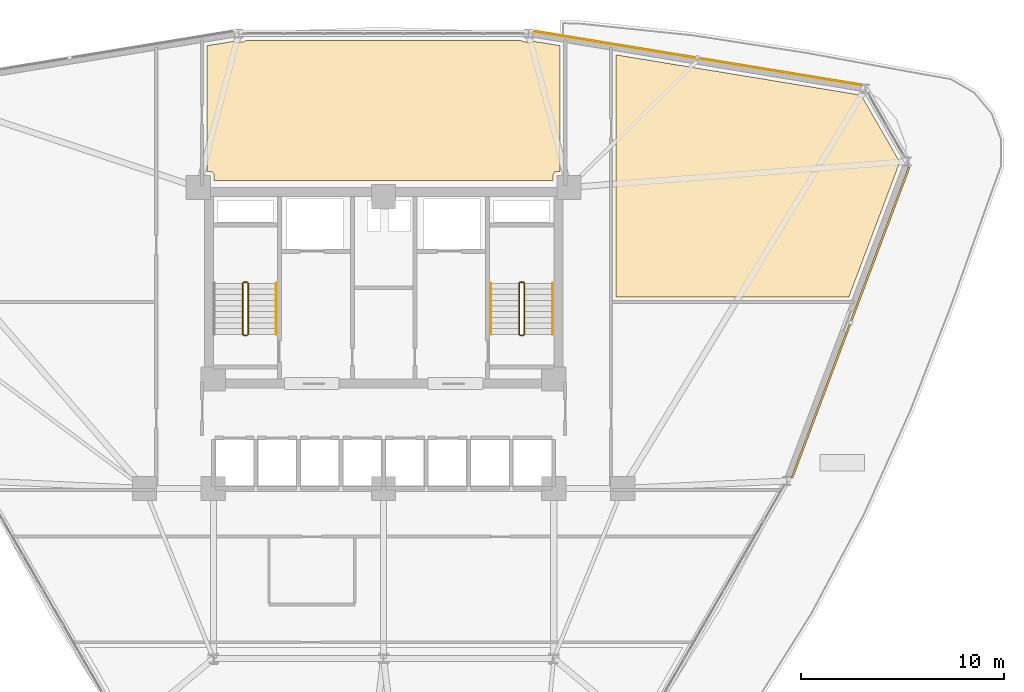
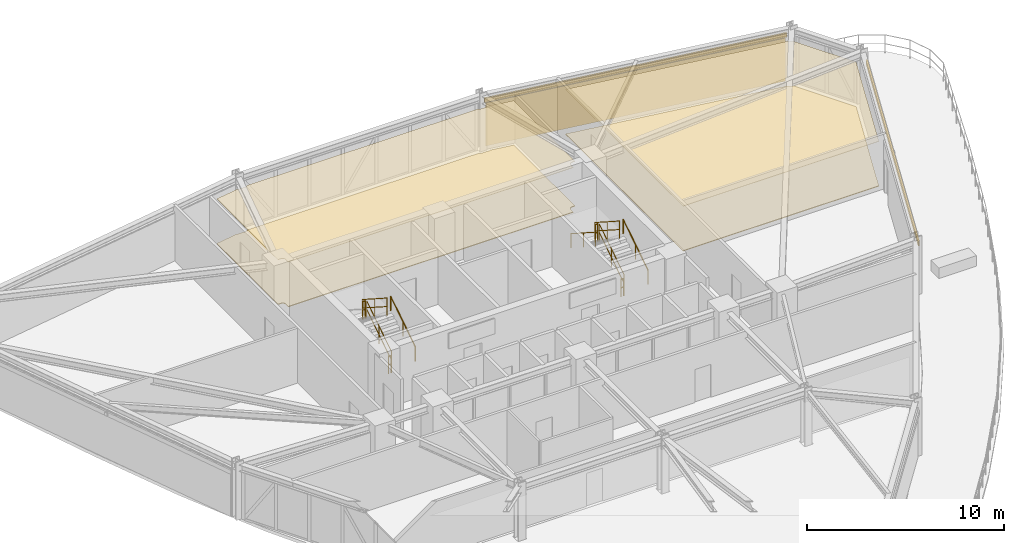
# One storey, part 23 of 23: 11 railings, 5 coverings, 2 shading devices.
"""IFC4 building model written with IfcOpenShell, lengths in metres."""

from ifc_helpers import new_model, si_unit, derived_unit, direction, frame, origin, origin_2d, place, context, subcontext, project, spatial, polyline, hollow_rectangle, circle, outline, extrude, source, transform, mapped, material, layer, layer_set, material_profile, profile_set, type_object, element, save


model = new_model("IFC4")

# Units and contexts
model_context = context("Model", 3, precision=1e-05, world=origin(), true_north=direction((0.0, 1.0)))
body_context = subcontext(model_context, "Body", "Model", "MODEL_VIEW")
ifc_project = project(units=[si_unit("LENGTHUNIT", "METRE"), si_unit("AREAUNIT", "SQUARE_METRE"), si_unit("VOLUMEUNIT", "CUBIC_METRE"), si_unit("PLANEANGLEUNIT", "RADIAN"), si_unit("MASSUNIT", "GRAM", prefix="KILO"), derived_unit("THERMALTRANSMITTANCEUNIT", [(si_unit("POWERUNIT", "WATT"), 1), (si_unit("LENGTHUNIT", "METRE"), -2), (si_unit("THERMODYNAMICTEMPERATUREUNIT", "KELVIN"), -1)])], contexts=[model_context])

# Site, building, storey
site_placement = place(None, origin())
site = spatial("IfcSite", under=ifc_project, at=site_placement, CompositionType="ELEMENT")
building_placement = place(site_placement, origin())
building = spatial("IfcBuilding", under=site, at=building_placement, Name="Korsvarv Bourse and Concert Hall", CompositionType="ELEMENT")
storey_placement = place(building_placement, frame((0.0, 0.0, 99.0)))
storey = spatial("IfcBuildingStorey", under=building, at=storey_placement, Name="L24", CompositionType="ELEMENT", Elevation=99.0)

# Coverings
ifc_material_1 = material(Name="Perforated mineral-wool and birch acoustic baffle ceiling", Category="wood")
ifc_layer_1 = layer(ifc_material_1, 0.02490234375)
ifc_layer_set_1 = layer_set([ifc_layer_1], Name="Perforated mineral-wool and birch acoustic baffle ceiling")
covering_type_1 = type_object("IfcCoveringType", Name="COV-CEIL-1", PredefinedType="CEILING", material=ifc_layer_set_1)
covering_1_placement = place(storey_placement, frame((0.0, 0.0, 2.780029296875)))
element("IfcCovering", 1, at=covering_1_placement, inside=storey, type_object=covering_type_1, Name="L24 acoustic baffle ceiling 2", PredefinedType="CEILING", context=body_context, shape_type="SweptSolid", body=[
    extrude(outline(polyline([(59.39208984375, 51.83837890625), (59.40625, 51.804931640625), (59.4267578125, 51.775146484375), (59.452880859375, 51.75), (59.483642578125, 51.730712890625), (59.517578125, 51.718017578125), (59.55322265625, 51.712158203125), (59.627685546875, 51.7080078125), (61.4521484375, 48.5478515625), (61.4521484375, 48.4423828125), (58.96484375, 41.85009765625), (47.47998046875, 41.85009765625), (47.47998046875, 53.795654296875), (59.39208984375, 51.83837890625)])), origin(), (0.0, 0.0, 1.0), 0.02490234375),
])
covering_2_placement = place(storey_placement, frame((0.0, 0.0, 2.780029296875)))
element("IfcCovering", 2, at=covering_2_placement, inside=storey, type_object=covering_type_1, Name="L24 acoustic baffle ceiling 3", PredefinedType="CEILING", context=body_context, shape_type="SweptSolid", body=[
    extrude(outline(polyline([(28.559326171875, 54.458984375), (28.593017578125, 54.4482421875), (28.62744140625, 54.444091796875), (29.055419921875, 54.43408203125), (29.09033203125, 54.436767578125), (29.124267578125, 54.446044921875), (29.15576171875, 54.4619140625), (29.183349609375, 54.4833984375), (29.206298828125, 54.510009765625), (42.789794921875, 54.511474609375), (42.814453125, 54.486328125), (42.843017578125, 54.466552734375), (42.875, 54.452880859375), (42.90869140625, 54.4453125), (43.354248046875, 54.43408203125), (43.388671875, 54.4365234375), (43.422119140625, 54.445556640625), (43.44775390625, 54.4580078125), (44.7099609375, 54.25048828125), (44.7099609375, 48.0400390625), (44.550048828125, 48.0400390625), (44.515380859375, 48.03662109375), (44.482177734375, 48.026611328125), (44.451416015625, 48.010498046875), (44.42431640625, 47.98876953125), (44.40185546875, 47.962158203125), (44.385009765625, 47.931640625), (44.374267578125, 47.898681640625), (44.3701171875, 47.864013671875), (44.364013671875, 47.60009765625), (27.639892578125, 47.60009765625), (27.639892578125, 47.85009765625), (27.63671875, 47.884521484375), (27.626708984375, 47.917724609375), (27.610595703125, 47.948486328125), (27.589111328125, 47.975341796875), (27.562744140625, 47.997802734375), (27.532470703125, 48.014892578125), (27.49951171875, 48.025634765625), (27.465087890625, 48.02978515625), (27.2900390625, 48.034912109375), (27.2900390625, 54.25048828125), (28.559326171875, 54.458984375)])), origin(), (0.0, 0.0, 1.0), 0.02490234375),
])
ifc_material_2 = material(Name="Warm iron-oxide extruded terracotta rainscreen tile", Category="ceramic")
ifc_layer_2 = layer(ifc_material_2, 0.044921875)
ifc_layer_set_2 = layer_set([ifc_layer_2], Name="Warm iron-oxide extruded terracotta rainscreen tile")
covering_type_2 = type_object("IfcCoveringType", Name="COV-CLD-TC", PredefinedType="CLADDING", material=ifc_layer_set_2)
covering_3_placement = place(storey_placement, origin())
element("IfcCovering", 3, at=covering_3_placement, inside=storey, type_object=covering_type_2, Name="L24 fluted terracotta cladding panel EW-L24-B02", PredefinedType="CLADDING", context=body_context, shape_type="SweptSolid", body=[
    extrude(outline(polyline([(59.51171875, 52.30078125), (43.464111328125, 54.9365234375), (43.471435546875, 54.98095703125), (59.51904296875, 52.34521484375), (59.51171875, 52.30078125)])), origin(), (0.0, 0.0, 1.0), 2.679931640625),
])
ifc_material_3 = material(Name="Calcium-sulphate raised access trading floor with Nordic oak top", Category="wood")
ifc_layer_3 = layer(ifc_material_3, 0.0400390625)
ifc_layer_set_3 = layer_set([ifc_layer_3], Name="Calcium-sulphate raised access trading floor with Nordic oak top")
covering_type_3 = type_object("IfcCoveringType", Name="COV-FLOR-1", PredefinedType="FLOORING", material=ifc_layer_set_3)
covering_4_placement = place(storey_placement, origin())
element("IfcCovering", 4, at=covering_4_placement, inside=storey, type_object=covering_type_3, Name="L24 raised access oak floor finish 2", PredefinedType="FLOORING", context=body_context, shape_type="SweptSolid", body=[
    extrude(outline(polyline([(59.39208984375, 51.83837890625), (59.40625, 51.804931640625), (59.4267578125, 51.775146484375), (59.452880859375, 51.75), (59.483642578125, 51.730712890625), (59.517578125, 51.718017578125), (59.55322265625, 51.712158203125), (59.627685546875, 51.7080078125), (61.4521484375, 48.5478515625), (61.4521484375, 48.4423828125), (58.96484375, 41.85009765625), (47.47998046875, 41.85009765625), (47.47998046875, 53.795654296875), (59.39208984375, 51.83837890625)])), origin(), (0.0, 0.0, 1.0), 0.0400390625),
])
covering_5_placement = place(storey_placement, origin())
element("IfcCovering", 5, at=covering_5_placement, inside=storey, type_object=covering_type_3, Name="L24 raised access oak floor finish 3", PredefinedType="FLOORING", context=body_context, shape_type="SweptSolid", body=[
    extrude(outline(polyline([(28.559326171875, 54.458984375), (28.593017578125, 54.4482421875), (28.62744140625, 54.444091796875), (29.055419921875, 54.43408203125), (29.09033203125, 54.436767578125), (29.124267578125, 54.446044921875), (29.15576171875, 54.4619140625), (29.183349609375, 54.4833984375), (29.206298828125, 54.510009765625), (42.789794921875, 54.511474609375), (42.814453125, 54.486328125), (42.843017578125, 54.466552734375), (42.875, 54.452880859375), (42.90869140625, 54.4453125), (43.354248046875, 54.43408203125), (43.388671875, 54.4365234375), (43.422119140625, 54.445556640625), (43.44775390625, 54.4580078125), (44.7099609375, 54.25048828125), (44.7099609375, 48.0400390625), (44.550048828125, 48.0400390625), (44.515380859375, 48.03662109375), (44.482177734375, 48.026611328125), (44.451416015625, 48.010498046875), (44.42431640625, 47.98876953125), (44.40185546875, 47.962158203125), (44.385009765625, 47.931640625), (44.374267578125, 47.898681640625), (44.3701171875, 47.864013671875), (44.364013671875, 47.60009765625), (27.639892578125, 47.60009765625), (27.639892578125, 47.85009765625), (27.63671875, 47.884521484375), (27.626708984375, 47.917724609375), (27.610595703125, 47.948486328125), (27.589111328125, 47.975341796875), (27.562744140625, 47.997802734375), (27.532470703125, 48.014892578125), (27.49951171875, 48.025634765625), (27.465087890625, 48.02978515625), (27.2900390625, 48.034912109375), (27.2900390625, 54.25048828125), (28.559326171875, 54.458984375)])), origin(), (0.0, 0.0, 1.0), 0.0400390625),
])

# Railings
ifc_material_4 = material(Name="Painted Steel S355 stair well guardrail", Category="steel")
railing_type_1 = type_object("IfcRailingType", Name="RL-ST-GRD", PredefinedType="GUARDRAIL", material=ifc_material_4)
railing_1_placement = place(storey_placement, frame((29.31005859375, 40.0, 0.179931640625)))
element("IfcRailing", 6, at=railing_1_placement, inside=storey, type_object=railing_type_1, Name="L24 ST-T1 stair guard 1", PredefinedType="GUARDRAIL", context=body_context, shape_type="SweptSolid", body=[
    extrude(circle(Radius=0.02392578125, at=origin_2d()), frame((0.0, 0.0, 1.076171875), z_axis=(0.0, 0.841162588446, 0.540782303519), x_axis=(-1.0, 0.0, 0.0)), (0.0, 0.0, 1.0), 2.995849609375),
    extrude(circle(Radius=0.02392578125, at=origin_2d()), frame((0.0, 0.0, 0.550048828125), z_axis=(0.0, 0.841162588446, 0.540782303519), x_axis=(-1.0, 0.0, 0.0)), (0.0, 0.0, 1.0), 2.995849609375),
    extrude(circle(Radius=0.02099609375, at=origin_2d()), origin(), (0.0, 0.0, 1.0), 1.052001953125),
    extrude(circle(Radius=0.02099609375, at=origin_2d()), frame((0.0, 1.260009765625, 0.81005859375)), (0.0, 0.0, 1.0), 1.052001953125),
    extrude(circle(Radius=0.02099609375, at=origin_2d()), frame((0.0, 2.52001953125, 1.6201171875)), (0.0, 0.0, 1.0), 1.052001953125),
])
railing_2_placement = place(storey_placement, frame((29.260009765625, 42.570068359375, 1.800048828125)))
element("IfcRailing", 7, at=railing_2_placement, inside=storey, type_object=railing_type_1, Name="L24 ST-T1 stair guard 2", PredefinedType="GUARDRAIL", context=body_context, shape_type="SweptSolid", body=[
    extrude(circle(Radius=0.02392578125, at=origin_2d()), frame((0.0, 0.0, 1.076171875), z_axis=(-1.0, 0.0, 0.0), x_axis=(0.0, -1.0, 0.0)), (0.0, 0.0, 1.0), 0.159912109375),
    extrude(circle(Radius=0.02392578125, at=origin_2d()), frame((0.0, 0.0, 0.550048828125), z_axis=(-1.0, 0.0, 0.0), x_axis=(0.0, -1.0, 0.0)), (0.0, 0.0, 1.0), 0.159912109375),
    extrude(circle(Radius=0.02099609375, at=origin_2d()), origin(), (0.0, 0.0, 1.0), 1.052001953125),
    extrude(circle(Radius=0.02099609375, at=origin_2d()), frame((-0.159912109375, 0.0, 0.0)), (0.0, 0.0, 1.0), 1.052001953125),
])
railing_3_placement = place(storey_placement, frame((29.050048828125, 42.52001953125, 1.97998046875)))
element("IfcRailing", 8, at=railing_3_placement, inside=storey, type_object=railing_type_1, Name="L24 ST-T1 stair guard 3", PredefinedType="GUARDRAIL", context=body_context, shape_type="SweptSolid", body=[
    extrude(circle(Radius=0.02392578125, at=origin_2d()), frame((0.0, 0.0, 1.076171875), z_axis=(0.0, -0.841162588446, 0.540782303519), x_axis=(1.0, 0.0, 0.0)), (0.0, 0.0, 1.0), 2.995849609375),
    extrude(circle(Radius=0.02392578125, at=origin_2d()), frame((0.0, 0.0, 0.550048828125), z_axis=(0.0, -0.841162588446, 0.540782303519), x_axis=(1.0, 0.0, 0.0)), (0.0, 0.0, 1.0), 2.995849609375),
    extrude(circle(Radius=0.02099609375, at=origin_2d()), origin(), (0.0, 0.0, 1.0), 1.052001953125),
    extrude(circle(Radius=0.02099609375, at=origin_2d()), frame((0.0, -1.260009765625, 0.81005859375)), (0.0, 0.0, 1.0), 1.052001953125),
    extrude(circle(Radius=0.02099609375, at=origin_2d()), frame((0.0, -2.52001953125, 1.6201171875)), (0.0, 0.0, 1.0), 1.052001953125),
])
railing_4_placement = place(storey_placement, frame((29.260009765625, 39.949951171875, 0.0)))
element("IfcRailing", 9, at=railing_4_placement, inside=storey, type_object=railing_type_1, Name="L24 ST-T1 stair guard 4", PredefinedType="GUARDRAIL", context=body_context, shape_type="SweptSolid", body=[
    extrude(circle(Radius=0.02392578125, at=origin_2d()), frame((0.0, 0.0, 1.076171875), z_axis=(-1.0, 0.0, 0.0), x_axis=(0.0, -1.0, 0.0)), (0.0, 0.0, 1.0), 0.159912109375),
    extrude(circle(Radius=0.02392578125, at=origin_2d()), frame((0.0, 0.0, 0.550048828125), z_axis=(-1.0, 0.0, 0.0), x_axis=(0.0, -1.0, 0.0)), (0.0, 0.0, 1.0), 0.159912109375),
    extrude(circle(Radius=0.02099609375, at=origin_2d()), origin(), (0.0, 0.0, 1.0), 1.052001953125),
    extrude(circle(Radius=0.02099609375, at=origin_2d()), frame((-0.159912109375, 0.0, 0.0)), (0.0, 0.0, 1.0), 1.052001953125),
])
railing_5_placement = place(storey_placement, frame((42.949951171875, 40.0, 0.179931640625)))
element("IfcRailing", 10, at=railing_5_placement, inside=storey, type_object=railing_type_1, Name="L24 ST-T2 stair guard 1", PredefinedType="GUARDRAIL", context=body_context, shape_type="SweptSolid", body=[
    extrude(circle(Radius=0.02392578125, at=origin_2d()), frame((0.0, 0.0, 1.076171875), z_axis=(0.0, 0.841162588446, 0.540782303519), x_axis=(-1.0, 0.0, 0.0)), (0.0, 0.0, 1.0), 2.995849609375),
    extrude(circle(Radius=0.02392578125, at=origin_2d()), frame((0.0, 0.0, 0.550048828125), z_axis=(0.0, 0.841162588446, 0.540782303519), x_axis=(-1.0, 0.0, 0.0)), (0.0, 0.0, 1.0), 2.995849609375),
    extrude(circle(Radius=0.02099609375, at=origin_2d()), origin(), (0.0, 0.0, 1.0), 1.052001953125),
    extrude(circle(Radius=0.02099609375, at=origin_2d()), frame((0.0, 1.260009765625, 0.81005859375)), (0.0, 0.0, 1.0), 1.052001953125),
    extrude(circle(Radius=0.02099609375, at=origin_2d()), frame((0.0, 2.52001953125, 1.6201171875)), (0.0, 0.0, 1.0), 1.052001953125),
])
railing_6_placement = place(storey_placement, frame((42.89990234375, 42.570068359375, 1.800048828125)))
element("IfcRailing", 11, at=railing_6_placement, inside=storey, type_object=railing_type_1, Name="L24 ST-T2 stair guard 2", PredefinedType="GUARDRAIL", context=body_context, shape_type="SweptSolid", body=[
    extrude(circle(Radius=0.02392578125, at=origin_2d()), frame((0.0, 0.0, 1.076171875), z_axis=(-1.0, 0.0, 0.0), x_axis=(0.0, -1.0, 0.0)), (0.0, 0.0, 1.0), 0.159912109375),
    extrude(circle(Radius=0.02392578125, at=origin_2d()), frame((0.0, 0.0, 0.550048828125), z_axis=(-1.0, 0.0, 0.0), x_axis=(0.0, -1.0, 0.0)), (0.0, 0.0, 1.0), 0.159912109375),
    extrude(circle(Radius=0.02099609375, at=origin_2d()), origin(), (0.0, 0.0, 1.0), 1.052001953125),
    extrude(circle(Radius=0.02099609375, at=origin_2d()), frame((-0.159912109375, 0.0, 0.0)), (0.0, 0.0, 1.0), 1.052001953125),
])
railing_7_placement = place(storey_placement, frame((42.68994140625, 42.52001953125, 1.97998046875)))
element("IfcRailing", 12, at=railing_7_placement, inside=storey, type_object=railing_type_1, Name="L24 ST-T2 stair guard 3", PredefinedType="GUARDRAIL", context=body_context, shape_type="SweptSolid", body=[
    extrude(circle(Radius=0.02392578125, at=origin_2d()), frame((0.0, 0.0, 1.076171875), z_axis=(0.0, -0.841162588446, 0.540782303519), x_axis=(1.0, 0.0, 0.0)), (0.0, 0.0, 1.0), 2.995849609375),
    extrude(circle(Radius=0.02392578125, at=origin_2d()), frame((0.0, 0.0, 0.550048828125), z_axis=(0.0, -0.841162588446, 0.540782303519), x_axis=(1.0, 0.0, 0.0)), (0.0, 0.0, 1.0), 2.995849609375),
    extrude(circle(Radius=0.02099609375, at=origin_2d()), origin(), (0.0, 0.0, 1.0), 1.052001953125),
    extrude(circle(Radius=0.02099609375, at=origin_2d()), frame((0.0, -1.260009765625, 0.81005859375)), (0.0, 0.0, 1.0), 1.052001953125),
    extrude(circle(Radius=0.02099609375, at=origin_2d()), frame((0.0, -2.52001953125, 1.6201171875)), (0.0, 0.0, 1.0), 1.052001953125),
])
railing_8_placement = place(storey_placement, frame((42.89990234375, 39.949951171875, 0.0)))
element("IfcRailing", 13, at=railing_8_placement, inside=storey, type_object=railing_type_1, Name="L24 ST-T2 stair guard 4", PredefinedType="GUARDRAIL", context=body_context, shape_type="SweptSolid", body=[
    extrude(circle(Radius=0.02392578125, at=origin_2d()), frame((0.0, 0.0, 1.076171875), z_axis=(-1.0, 0.0, 0.0), x_axis=(0.0, -1.0, 0.0)), (0.0, 0.0, 1.0), 0.159912109375),
    extrude(circle(Radius=0.02392578125, at=origin_2d()), frame((0.0, 0.0, 0.550048828125), z_axis=(-1.0, 0.0, 0.0), x_axis=(0.0, -1.0, 0.0)), (0.0, 0.0, 1.0), 0.159912109375),
    extrude(circle(Radius=0.02099609375, at=origin_2d()), origin(), (0.0, 0.0, 1.0), 1.052001953125),
    extrude(circle(Radius=0.02099609375, at=origin_2d()), frame((-0.159912109375, 0.0, 0.0)), (0.0, 0.0, 1.0), 1.052001953125),
])
ifc_material_5 = material(Name="Brushed stainless Steel S355 tubular handrail", Category="steel")
railing_type_2 = type_object("IfcRailingType", Name="RL-ST-HND", PredefinedType="HANDRAIL", material=ifc_material_5)
for number, where, name in (
    (14, (30.7099609375, 40.0, 0.179931640625), "L24 ST-T1 stair handrail 1"),
    (15, (44.35009765625, 40.0, 0.179931640625), "L24 ST-T2 stair handrail 1"),
):
    element("IfcRailing", number, at=place(storey_placement, frame(where)), inside=storey, type_object=railing_type_2, Name=name, PredefinedType="HANDRAIL", context=body_context, shape_type="SweptSolid", body=[
        extrude(circle(Radius=0.02392578125, at=origin_2d()), frame((0.0, 0.0, 0.8759765625), z_axis=(0.0, 0.841162588446, 0.540782303519), x_axis=(-1.0, 0.0, 0.0)), (0.0, 0.0, 1.0), 2.995849609375),
        extrude(circle(Radius=0.02099609375, at=origin_2d()), origin(), (0.0, 0.0, 1.0), 0.851806640625),
        extrude(circle(Radius=0.02099609375, at=origin_2d()), frame((0.0, 1.260009765625, 0.81005859375)), (0.0, 0.0, 1.0), 0.851806640625),
        extrude(circle(Radius=0.02099609375, at=origin_2d()), frame((0.0, 2.52001953125, 1.6201171875)), (0.0, 0.0, 1.0), 0.851806640625),
    ])
railing_9_placement = place(storey_placement, frame((41.2900390625, 42.52001953125, 1.97998046875)))
element("IfcRailing", 16, at=railing_9_placement, inside=storey, type_object=railing_type_2, Name="L24 ST-T2 stair handrail 2", PredefinedType="HANDRAIL", context=body_context, shape_type="SweptSolid", body=[
    extrude(circle(Radius=0.02392578125, at=origin_2d()), frame((0.0, 0.0, 0.8759765625), z_axis=(0.0, -0.841162588446, 0.540782303519), x_axis=(1.0, 0.0, 0.0)), (0.0, 0.0, 1.0), 2.995849609375),
    extrude(circle(Radius=0.02099609375, at=origin_2d()), origin(), (0.0, 0.0, 1.0), 0.851806640625),
    extrude(circle(Radius=0.02099609375, at=origin_2d()), frame((0.0, -1.260009765625, 0.81005859375)), (0.0, 0.0, 1.0), 0.851806640625),
    extrude(circle(Radius=0.02099609375, at=origin_2d()), frame((0.0, -2.52001953125, 1.6201171875)), (0.0, 0.0, 1.0), 0.851806640625),
])

# Shading devices
ifc_material_6 = material(Name="Glazed extruded architectural terracotta", Category="ceramic")
ifc_material_profile = material_profile(ifc_material_6, hollow_rectangle(XDim=0.090087890625, YDim=0.260009765625, WallThickness=0.011962890625, at=origin_2d()), Name="TC-BAG 90x260")
ifc_profile_set = profile_set([ifc_material_profile], Name="Glazed extruded architectural terracotta")
shading_device_type = type_object("IfcShadingDeviceType", Name="SHD-BAG-1", PredefinedType="USERDEFINED", material=ifc_profile_set)
shared_shape_1 = source(origin(), body_context, "Body", "SweptSolid", [
    extrude(hollow_rectangle(XDim=0.090087890625, YDim=0.260009765625, WallThickness=0.011962890625, at=origin_2d()), origin(), (0.0, 0.0, 1.0), 16.42236328125),
])
shading_device_1_placement = place(storey_placement, frame((59.59716796875, 52.327392578125, 2.840087890625), z_axis=(-0.986778909092, 0.162072158533, 0.0), x_axis=(-0.162072158533, -0.986778909092, 0.0)))
element("IfcShadingDevice", 17, at=shading_device_1_placement, inside=storey, type_object=shading_device_type, Name="L24 terracotta baguette sunshade EW-L24-B02", ObjectType="BAGUETTE", PredefinedType="USERDEFINED", context=body_context, shape_type="MappedRepresentation", body=[
    mapped(shared_shape_1, transform((0.0, 0.0, 0.0), scale=1.0)),
])
shared_shape_2 = source(origin(), body_context, "Body", "SweptSolid", [
    extrude(hollow_rectangle(XDim=0.090087890625, YDim=0.260009765625, WallThickness=0.011962890625, at=origin_2d()), origin(), (0.0, 0.0, 1.0), 16.359130859375),
])
shading_device_2_placement = place(storey_placement, frame((56.161376953125, 32.93310546875, 2.840087890625), z_axis=(0.353021512356, 0.935615204993, 0.0), x_axis=(-0.935615204993, 0.353021512356, 0.0)))
element("IfcShadingDevice", 18, at=shading_device_2_placement, inside=storey, type_object=shading_device_type, Name="L24 terracotta baguette sunshade EW-L24-B12", ObjectType="BAGUETTE", PredefinedType="USERDEFINED", context=body_context, shape_type="MappedRepresentation", body=[
    mapped(shared_shape_2, transform((0.0, 0.0, 0.0), scale=1.0)),
])

save(model, "model.ifc")
